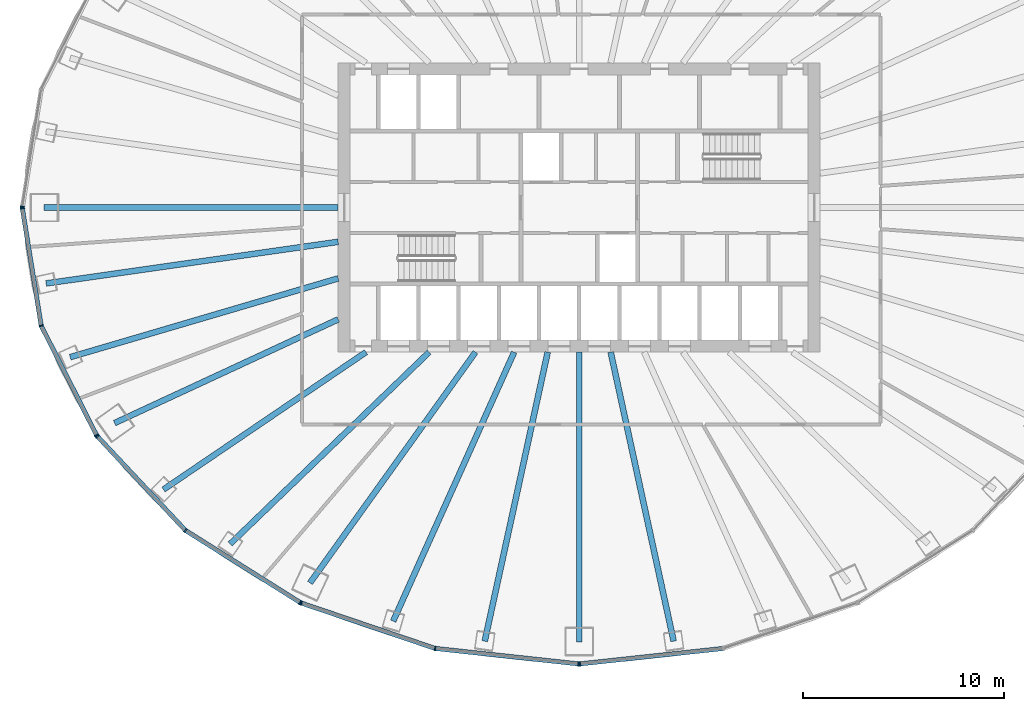
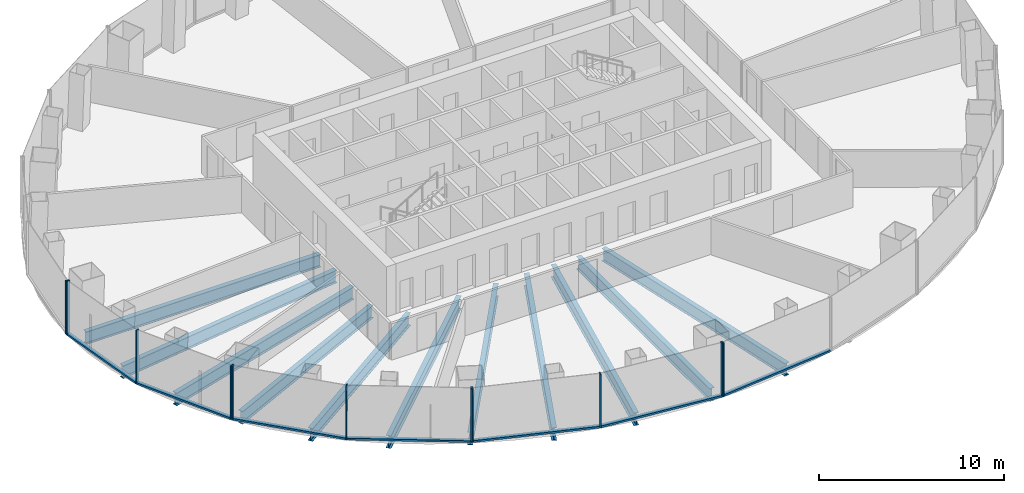
# One storey, part 2 of 11: 18 members, 11 beams, 5 elements without a shape of their own.
"""IFC4 building model written with IfcOpenShell, lengths in metres."""

from ifc_helpers import new_model, si_unit, direction, frame, origin, origin_2d, place, context, subcontext, project, spatial, rectangle, i_section, extrude, material, layer, layer_set, material_profile, profile_set, type_object, element, aggregate, save


model = new_model("IFC4")

# Units and contexts
model_context = context("Model", 3, precision=1e-05, world=origin(), true_north=direction((0.0, 1.0)))
body_context = subcontext(model_context, "Body", "Model", "MODEL_VIEW")
ifc_project = project(units=[si_unit("LENGTHUNIT", "METRE"), si_unit("AREAUNIT", "SQUARE_METRE"), si_unit("VOLUMEUNIT", "CUBIC_METRE"), si_unit("PLANEANGLEUNIT", "RADIAN"), si_unit("MASSUNIT", "GRAM", prefix="KILO")], contexts=[model_context])

# Site, building, storey
site_placement = place(None, origin())
site = spatial("IfcSite", under=ifc_project, at=site_placement, CompositionType="ELEMENT")
building_placement = place(site_placement, origin())
building = spatial("IfcBuilding", under=site, at=building_placement, Name="Siaravel Broadcast Tower", CompositionType="ELEMENT")
storey_placement = place(building_placement, frame((0.0, 0.0, 51.89990234375)))
storey = spatial("IfcBuildingStorey", under=building, at=storey_placement, Name="L11", CompositionType="ELEMENT", Elevation=51.89990234375)

# Beams
ifc_material_1 = material(Name="Steel S355", Category="steel")
ifc_material_profile_1 = material_profile(ifc_material_1, i_section(OverallWidth=0.291748046875, OverallDepth=0.8349609375, WebThickness=0.013916015625, FlangeThickness=0.018798828125, FilletRadius=0.017822265625, at=origin_2d()))
ifc_profile_set_1 = profile_set([ifc_material_profile_1], Name="Steel S355")
beam_type = type_object("IfcBeamType", Name="BM-UB 838x292x176", PredefinedType="BEAM", material=ifc_profile_set_1)
beam_1_placement = place(storey_placement, frame((-26.64599609375, 0.0, -0.5673828125), z_axis=(1.0, 0.0, 0.0), x_axis=(0.0, 1.0, 0.0)))
element("IfcBeam", 1, at=beam_1_placement, inside=storey, type_object=beam_type, Name="Radial beam RB19", PredefinedType="BEAM", context=body_context, shape_type="SweptSolid", body=[
    extrude(i_section(OverallWidth=0.291748046875, OverallDepth=0.8349609375, WebThickness=0.013916015625, FlangeThickness=0.018798828125, FilletRadius=0.017822265625, at=origin_2d()), origin(), (0.0, 0.0, 1.0), 14.64599609375),
])
beam_2_placement = place(storey_placement, frame((-26.54248046875, -3.7783203125, -0.5673828125), z_axis=(0.990017854, 0.140942004, 0.0), x_axis=(-0.140942004, 0.990017854, 0.0)))
element("IfcBeam", 2, at=beam_2_placement, inside=storey, type_object=beam_type, Name="Radial beam RB20", PredefinedType="BEAM", context=body_context, shape_type="SweptSolid", body=[
    extrude(i_section(OverallWidth=0.291748046875, OverallDepth=0.8349609375, WebThickness=0.013916015625, FlangeThickness=0.018798828125, FilletRadius=0.017822265625, at=origin_2d()), origin(), (0.0, 0.0, 1.0), 14.689208984375),
])
beam_3_placement = place(storey_placement, frame((-25.341552734375, -7.4482421875, -0.5673828125), z_axis=(0.959420837, 0.281978115, 0.0), x_axis=(-0.281978115, 0.959420837, 0.0)))
element("IfcBeam", 3, at=beam_3_placement, inside=storey, type_object=beam_type, Name="Radial beam RB21", PredefinedType="BEAM", context=body_context, shape_type="SweptSolid", body=[
    extrude(i_section(OverallWidth=0.291748046875, OverallDepth=0.8349609375, WebThickness=0.013916015625, FlangeThickness=0.018798828125, FilletRadius=0.017822265625, at=origin_2d()), origin(), (0.0, 0.0, 1.0), 13.90576171875),
])
beam_4_placement = place(storey_placement, frame((-23.129638671875, -10.729736328125, -0.5673828125), z_axis=(0.907148714, 0.420810184, 0.0), x_axis=(-0.420810184, 0.907148714, 0.0)))
element("IfcBeam", 4, at=beam_4_placement, inside=storey, type_object=beam_type, Name="Radial beam RB22", PredefinedType="BEAM", context=body_context, shape_type="SweptSolid", body=[
    extrude(i_section(OverallWidth=0.291748046875, OverallDepth=0.8349609375, WebThickness=0.013916015625, FlangeThickness=0.018798828125, FilletRadius=0.017822265625, at=origin_2d()), origin(), (0.0, 0.0, 1.0), 12.268798828125),
])
beam_5_placement = place(storey_placement, frame((-20.69580078125, -14.0361328125, -0.5673828125), z_axis=(0.827610801, 0.56130238, 0.0), x_axis=(-0.56130238, 0.827610801, 0.0)))
element("IfcBeam", 5, at=beam_5_placement, inside=storey, type_object=beam_type, Name="Radial beam RB23", PredefinedType="BEAM", context=body_context, shape_type="SweptSolid", body=[
    extrude(i_section(OverallWidth=0.291748046875, OverallDepth=0.8349609375, WebThickness=0.013916015625, FlangeThickness=0.018798828125, FilletRadius=0.017822265625, at=origin_2d()), origin(), (0.0, 0.0, 1.0), 12.17919921875),
])
beam_6_placement = place(storey_placement, frame((-17.381591796875, -16.750732421875, -0.5673828125), z_axis=(0.720050335, 0.693921836, 0.0), x_axis=(-0.693921836, 0.720050335, 0.0)))
element("IfcBeam", 6, at=beam_6_placement, inside=storey, type_object=beam_type, Name="Radial beam RB24", PredefinedType="BEAM", context=body_context, shape_type="SweptSolid", body=[
    extrude(i_section(OverallWidth=0.291748046875, OverallDepth=0.8349609375, WebThickness=0.013916015625, FlangeThickness=0.018798828125, FilletRadius=0.017822265625, at=origin_2d()), origin(), (0.0, 0.0, 1.0), 13.763427734375),
])
beam_7_placement = place(storey_placement, frame((-13.402587890625, -18.687744140625, -0.5673828125), z_axis=(0.582792363, 0.812621106, 0.0), x_axis=(-0.812621106, 0.582792363, 0.0)))
element("IfcBeam", 7, at=beam_7_placement, inside=storey, type_object=beam_type, Name="Radial beam RB25", PredefinedType="BEAM", context=body_context, shape_type="SweptSolid", body=[
    extrude(i_section(OverallWidth=0.291748046875, OverallDepth=0.8349609375, WebThickness=0.013916015625, FlangeThickness=0.018798828125, FilletRadius=0.017822265625, at=origin_2d()), origin(), (0.0, 0.0, 1.0), 14.13671875),
])
beam_8_placement = place(storey_placement, frame((-9.260986328125, -20.58984375, -0.5673828125), z_axis=(0.410195272, 0.911997718, 0.0), x_axis=(-0.911997718, 0.410195272, 0.0)))
element("IfcBeam", 8, at=beam_8_placement, inside=storey, type_object=beam_type, Name="Radial beam RB26", PredefinedType="BEAM", context=body_context, shape_type="SweptSolid", body=[
    extrude(i_section(OverallWidth=0.291748046875, OverallDepth=0.8349609375, WebThickness=0.013916015625, FlangeThickness=0.018798828125, FilletRadius=0.017822265625, at=origin_2d()), origin(), (0.0, 0.0, 1.0), 14.681884765625),
])
beam_9_placement = place(storey_placement, frame((-4.70361328125, -21.590087890625, -0.5673828125), z_axis=(0.212865263, 0.977081562, 0.0), x_axis=(-0.977081562, 0.212865263, 0.0)))
element("IfcBeam", 9, at=beam_9_placement, inside=storey, type_object=beam_type, Name="Radial beam RB27", PredefinedType="BEAM", context=body_context, shape_type="SweptSolid", body=[
    extrude(i_section(OverallWidth=0.291748046875, OverallDepth=0.8349609375, WebThickness=0.013916015625, FlangeThickness=0.018798828125, FilletRadius=0.017822265625, at=origin_2d()), origin(), (0.0, 0.0, 1.0), 14.727783203125),
])
beam_10_placement = place(storey_placement, frame((0.0, -21.627197265625, -0.5673828125), z_axis=(0.0, 1.0, 0.0), x_axis=(-1.0, 0.0, 0.0)))
element("IfcBeam", 10, at=beam_10_placement, inside=storey, type_object=beam_type, Name="Radial beam RB28", PredefinedType="BEAM", context=body_context, shape_type="SweptSolid", body=[
    extrude(i_section(OverallWidth=0.291748046875, OverallDepth=0.8349609375, WebThickness=0.013916015625, FlangeThickness=0.018798828125, FilletRadius=0.017822265625, at=origin_2d()), origin(), (0.0, 0.0, 1.0), 14.42724609375),
])
beam_11_placement = place(storey_placement, frame((4.70361328125, -21.590087890625, -0.5673828125), z_axis=(-0.212865263, 0.977081562, 0.0), x_axis=(-0.977081562, -0.212865263, 0.0)))
element("IfcBeam", 11, at=beam_11_placement, inside=storey, type_object=beam_type, Name="Radial beam RB29", PredefinedType="BEAM", context=body_context, shape_type="SweptSolid", body=[
    extrude(i_section(OverallWidth=0.291748046875, OverallDepth=0.8349609375, WebThickness=0.013916015625, FlangeThickness=0.018798828125, FilletRadius=0.017822265625, at=origin_2d()), origin(), (0.0, 0.0, 1.0), 14.727783203125),
])

# Curtain wall, member
ifc_material_2 = material(Name="Aluminium 6063-T6", Category="aluminium")
ifc_layer = layer(ifc_material_2, 0.219970703125)
ifc_layer_set = layer_set([ifc_layer], Name="Aluminium 6063-T6")
curtain_wall_type = type_object("IfcCurtainWallType", Name="Unitised curtain wall, zone 1", PredefinedType="NOTDEFINED", material=ifc_layer_set)
curtain_wall_1_placement = place(storey_placement, origin())
curtain_wall_1 = element("IfcCurtainWall", 12, at=curtain_wall_1_placement, inside=storey, type_object=curtain_wall_type, Name="L11 Unitised curtain wall, zone 1 06", PredefinedType="NOTDEFINED")
ifc_material_profile_2 = material_profile(ifc_material_2, rectangle(XDim=0.219970703125, YDim=0.070068359375, at=origin_2d()))
ifc_profile_set_2 = profile_set([ifc_material_profile_2], Name="Aluminium 6063-T6")
member_type_1 = type_object("IfcMemberType", Name="CW-Z1 mullion", PredefinedType="MULLION", material=ifc_profile_set_2)
member_1_placement = place(storey_placement, frame((-27.726318359375, 0.03466796875, 0.0), z_axis=(0.0, 0.0, 1.0), x_axis=(0.987329143, -0.158685735, 0.0)))
member_1 = element("IfcMember", 13, at=member_1_placement, type_object=member_type_1, Name="CW-Z1 mullion 3", PredefinedType="MULLION", context=body_context, shape_type="SweptSolid", body=[
    extrude(rectangle(XDim=0.219970703125, YDim=0.070068359375, at=origin_2d()), origin(), (0.0, 0.0, 1.0), 3.550048828125),
])
aggregate(curtain_wall_1, [member_1])

# Curtain wall, members
curtain_wall_2_placement = place(storey_placement, origin())
curtain_wall_2 = element("IfcCurtainWall", 14, at=curtain_wall_2_placement, inside=storey, type_object=curtain_wall_type, Name="L11 Unitised curtain wall, zone 1 07", PredefinedType="NOTDEFINED")
member_2_placement = place(storey_placement, frame((-27.726318359375, -0.03466796875, 0.0), z_axis=(0.0, 0.0, 1.0), x_axis=(0.987329143, 0.158685735, 0.0)))
member_2 = element("IfcMember", 15, at=member_2_placement, type_object=member_type_1, Name="CW-Z1 mullion 1", PredefinedType="MULLION", context=body_context, shape_type="SweptSolid", body=[
    extrude(rectangle(XDim=0.219970703125, YDim=0.070068359375, at=origin_2d()), origin(), (0.0, 0.0, 1.0), 3.550048828125),
])
member_3_placement = place(storey_placement, frame((-26.7861328125, -5.88427734375, 0.0), z_axis=(0.0, 0.0, 1.0), x_axis=(0.951177111, 0.308645596, 0.0)))
member_3 = element("IfcMember", 16, at=member_3_placement, type_object=member_type_1, Name="CW-Z1 mullion 2", PredefinedType="MULLION", context=body_context, shape_type="SweptSolid", body=[
    extrude(rectangle(XDim=0.219970703125, YDim=0.070068359375, at=origin_2d()), origin(), (0.0, 0.0, 1.0), 3.550048828125),
])
member_4_placement = place(storey_placement, frame((-24.02978515625, -11.3349609375, 0.0), z_axis=(0.0, 0.0, 1.0), x_axis=(0.892391886, 0.451261257, 0.0)))
member_4 = element("IfcMember", 17, at=member_4_placement, type_object=member_type_1, Name="CW-Z1 mullion 3", PredefinedType="MULLION", context=body_context, shape_type="SweptSolid", body=[
    extrude(rectangle(XDim=0.219970703125, YDim=0.070068359375, at=origin_2d()), origin(), (0.0, 0.0, 1.0), 3.550048828125),
])

curtain_wall_3_placement = place(storey_placement, origin())
curtain_wall_3 = element("IfcCurtainWall", 18, at=curtain_wall_3_placement, inside=storey, type_object=curtain_wall_type, Name="L11 Unitised curtain wall, zone 1 08", PredefinedType="NOTDEFINED")
member_5_placement = place(storey_placement, frame((-23.990234375, -11.3916015625, 0.0), z_axis=(0.0, 0.0, 1.0), x_axis=(0.729805061, 0.683655302, 0.0)))
member_5 = element("IfcMember", 19, at=member_5_placement, type_object=member_type_1, Name="CW-Z1 mullion 1", PredefinedType="MULLION", context=body_context, shape_type="SweptSolid", body=[
    extrude(rectangle(XDim=0.219970703125, YDim=0.070068359375, at=origin_2d()), origin(), (0.0, 0.0, 1.0), 3.550048828125),
])
member_6_placement = place(storey_placement, frame((-19.605712890625, -16.072021484375, 0.0), z_axis=(0.0, 0.0, 1.0), x_axis=(0.636218527, 0.771508902, 0.0)))
member_6 = element("IfcMember", 20, at=member_6_placement, type_object=member_type_1, Name="CW-Z1 mullion 2", PredefinedType="MULLION", context=body_context, shape_type="SweptSolid", body=[
    extrude(rectangle(XDim=0.219970703125, YDim=0.070068359375, at=origin_2d()), origin(), (0.0, 0.0, 1.0), 3.550048828125),
])
member_7_placement = place(storey_placement, frame((-13.89208984375, -19.663330078125, 0.0), z_axis=(0.0, 0.0, 1.0), x_axis=(0.532149214, 0.846650586, 0.0)))
member_7 = element("IfcMember", 21, at=member_7_placement, type_object=member_type_1, Name="CW-Z1 mullion 3", PredefinedType="MULLION", context=body_context, shape_type="SweptSolid", body=[
    extrude(rectangle(XDim=0.219970703125, YDim=0.070068359375, at=origin_2d()), origin(), (0.0, 0.0, 1.0), 3.550048828125),
])

curtain_wall_4_placement = place(storey_placement, origin())
curtain_wall_4 = element("IfcCurtainWall", 22, at=curtain_wall_4_placement, inside=storey, type_object=curtain_wall_type, Name="L11 Unitised curtain wall, zone 1 09", PredefinedType="NOTDEFINED")
member_8_placement = place(storey_placement, frame((-13.8291015625, -19.693115234375, 0.0), z_axis=(0.0, 0.0, 1.0), x_axis=(0.321300709, 0.94697722, 0.0)))
member_8 = element("IfcMember", 23, at=member_8_placement, type_object=member_type_1, Name="CW-Z1 mullion 1", PredefinedType="MULLION", context=body_context, shape_type="SweptSolid", body=[
    extrude(rectangle(XDim=0.219970703125, YDim=0.070068359375, at=origin_2d()), origin(), (0.0, 0.0, 1.0), 3.550048828125),
])
member_9_placement = place(storey_placement, frame((-7.17529296875, -21.95068359375, 0.0), z_axis=(0.0, 0.0, 1.0), x_axis=(0.215558136, 0.976491009, 0.0)))
member_9 = element("IfcMember", 24, at=member_9_placement, type_object=member_type_1, Name="CW-Z1 mullion 2", PredefinedType="MULLION", context=body_context, shape_type="SweptSolid", body=[
    extrude(rectangle(XDim=0.219970703125, YDim=0.070068359375, at=origin_2d()), origin(), (0.0, 0.0, 1.0), 3.550048828125),
])
member_10_placement = place(storey_placement, frame((-0.034912109375, -22.720703125, 0.0), z_axis=(0.0, 0.0, 1.0), x_axis=(0.107217536, 0.994235586, 0.0)))
member_10 = element("IfcMember", 25, at=member_10_placement, type_object=member_type_1, Name="CW-Z1 mullion 3", PredefinedType="MULLION", context=body_context, shape_type="SweptSolid", body=[
    extrude(rectangle(XDim=0.219970703125, YDim=0.070068359375, at=origin_2d()), origin(), (0.0, 0.0, 1.0), 3.550048828125),
])

# Curtain wall, member
curtain_wall_5_placement = place(storey_placement, origin())
curtain_wall_5 = element("IfcCurtainWall", 26, at=curtain_wall_5_placement, inside=storey, type_object=curtain_wall_type, Name="L11 Unitised curtain wall, zone 1 10", PredefinedType="NOTDEFINED")
member_11_placement = place(storey_placement, frame((0.034912109375, -22.720703125, 0.0), z_axis=(0.0, 0.0, 1.0), x_axis=(-0.107217536, 0.994235586, 0.0)))
member_11 = element("IfcMember", 27, at=member_11_placement, type_object=member_type_1, Name="CW-Z1 mullion 1", PredefinedType="MULLION", context=body_context, shape_type="SweptSolid", body=[
    extrude(rectangle(XDim=0.219970703125, YDim=0.070068359375, at=origin_2d()), origin(), (0.0, 0.0, 1.0), 3.550048828125),
])

# Member
ifc_material_profile_3 = material_profile(ifc_material_2, rectangle(XDim=0.219970703125, YDim=0.1201171875, at=origin_2d()))
ifc_profile_set_3 = profile_set([ifc_material_profile_3], Name="Aluminium 6063-T6")
member_type_2 = type_object("IfcMemberType", Name="CW-Z1 transom", PredefinedType="USERDEFINED", material=ifc_profile_set_3)
member_12_placement = place(storey_placement, frame((-27.720703125, -0.069091796875, 0.06005859375), z_axis=(0.158668659, -0.987331888, 0.0), x_axis=(0.987331888, 0.158668659, 0.0)))
member_12 = element("IfcMember", 28, at=member_12_placement, type_object=member_type_2, Name="CW-Z1 transom 1", ObjectType="TRANSOM", PredefinedType="USERDEFINED", context=body_context, shape_type="SweptSolid", body=[
    extrude(rectangle(XDim=0.219970703125, YDim=0.1201171875, at=origin_2d()), origin(), (0.0, 0.0, 1.0), 5.854736328125),
])

member_13_placement = place(storey_placement, frame((-26.7705078125, -5.915283203125, 0.06005859375), z_axis=(0.451268424, -0.892388262, 0.0), x_axis=(0.892388262, 0.451268424, 0.0)))
member_13 = element("IfcMember", 29, at=member_13_placement, type_object=member_type_2, Name="CW-Z1 transom 2", ObjectType="TRANSOM", PredefinedType="USERDEFINED", context=body_context, shape_type="SweptSolid", body=[
    extrude(rectangle(XDim=0.219970703125, YDim=0.1201171875, at=origin_2d()), origin(), (0.0, 0.0, 1.0), 6.038330078125),
])

aggregate(curtain_wall_2, [member_2, member_3, member_4, member_12, member_13])

member_14_placement = place(storey_placement, frame((-23.96630859375, -11.417236328125, 0.06005859375), z_axis=(0.683676063, -0.729785613, 0.0), x_axis=(0.729785613, 0.683676063, 0.0)))
member_14 = element("IfcMember", 30, at=member_14_placement, type_object=member_type_2, Name="CW-Z1 transom 1", ObjectType="TRANSOM", PredefinedType="USERDEFINED", context=body_context, shape_type="SweptSolid", body=[
    extrude(rectangle(XDim=0.219970703125, YDim=0.1201171875, at=origin_2d()), origin(), (0.0, 0.0, 1.0), 6.34326171875),
])

member_15_placement = place(storey_placement, frame((-19.576171875, -16.0908203125, 0.06005859375), z_axis=(0.846658666, -0.532136358, 0.0), x_axis=(0.532136358, 0.846658666, 0.0)))
member_15 = element("IfcMember", 31, at=member_15_placement, type_object=member_type_2, Name="CW-Z1 transom 2", ObjectType="TRANSOM", PredefinedType="USERDEFINED", context=body_context, shape_type="SweptSolid", body=[
    extrude(rectangle(XDim=0.219970703125, YDim=0.1201171875, at=origin_2d()), origin(), (0.0, 0.0, 1.0), 6.6787109375),
])

aggregate(curtain_wall_3, [member_5, member_6, member_7, member_14, member_15])

member_16_placement = place(storey_placement, frame((-13.7958984375, -19.70458984375, 0.06005859375), z_axis=(0.946974505, -0.321308709, 0.0), x_axis=(0.321308709, 0.946974505, 0.0)))
member_16 = element("IfcMember", 32, at=member_16_placement, type_object=member_type_2, Name="CW-Z1 transom 1", ObjectType="TRANSOM", PredefinedType="USERDEFINED", context=body_context, shape_type="SweptSolid", body=[
    extrude(rectangle(XDim=0.219970703125, YDim=0.1201171875, at=origin_2d()), origin(), (0.0, 0.0, 1.0), 6.956298828125),
])

member_17_placement = place(storey_placement, frame((-7.140380859375, -21.95458984375, 0.06005859375), z_axis=(0.994236456, -0.107209463, 0.0), x_axis=(0.107209463, 0.994236456, 0.0)))
member_17 = element("IfcMember", 33, at=member_17_placement, type_object=member_type_2, Name="CW-Z1 transom 2", ObjectType="TRANSOM", PredefinedType="USERDEFINED", context=body_context, shape_type="SweptSolid", body=[
    extrude(rectangle(XDim=0.219970703125, YDim=0.1201171875, at=origin_2d()), origin(), (0.0, 0.0, 1.0), 7.11181640625),
])

aggregate(curtain_wall_4, [member_8, member_9, member_10, member_16, member_17])

member_18_placement = place(storey_placement, frame((0.069580078125, -22.717041015625, 0.06005859375), z_axis=(0.994236456, 0.107209463, 0.0), x_axis=(-0.107209463, 0.994236456, 0.0)))
member_18 = element("IfcMember", 34, at=member_18_placement, type_object=member_type_2, Name="CW-Z1 transom 1", ObjectType="TRANSOM", PredefinedType="USERDEFINED", context=body_context, shape_type="SweptSolid", body=[
    extrude(rectangle(XDim=0.219970703125, YDim=0.1201171875, at=origin_2d()), origin(), (0.0, 0.0, 1.0), 7.11181640625),
])

aggregate(curtain_wall_5, [member_11, member_18])

save(model, "model.ifc")
